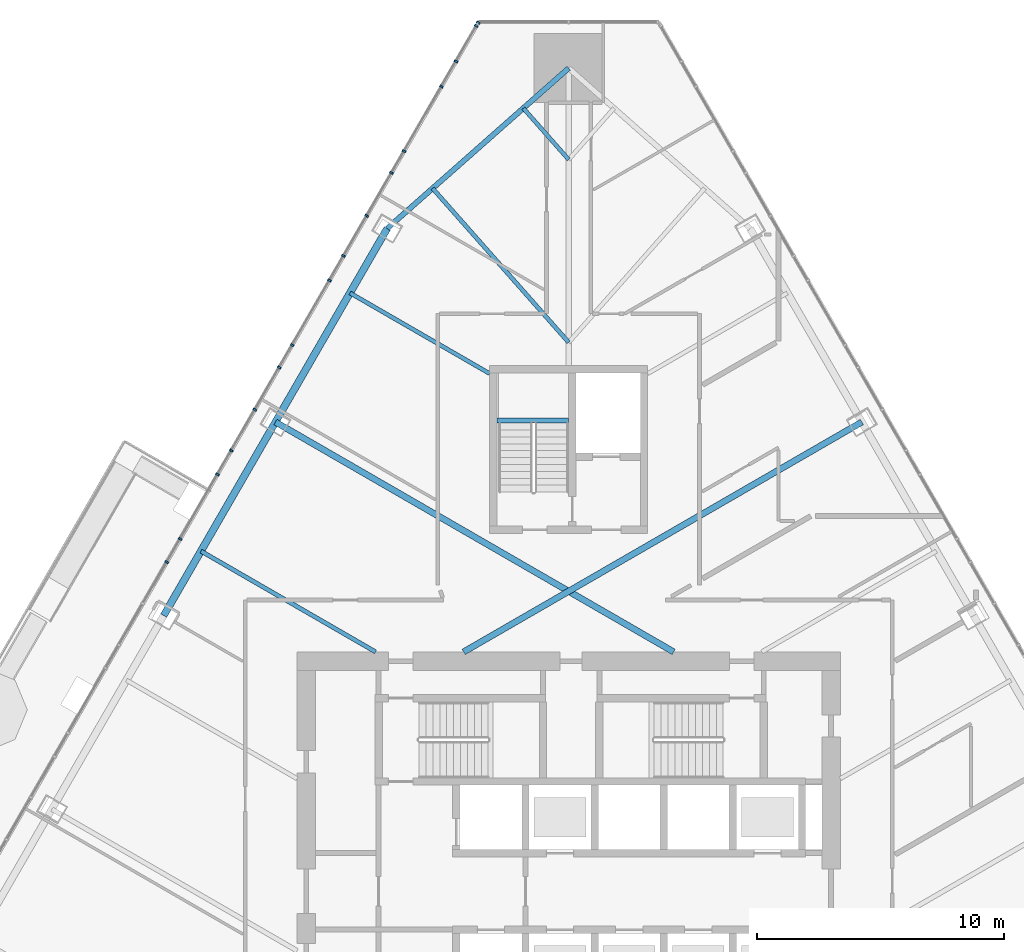
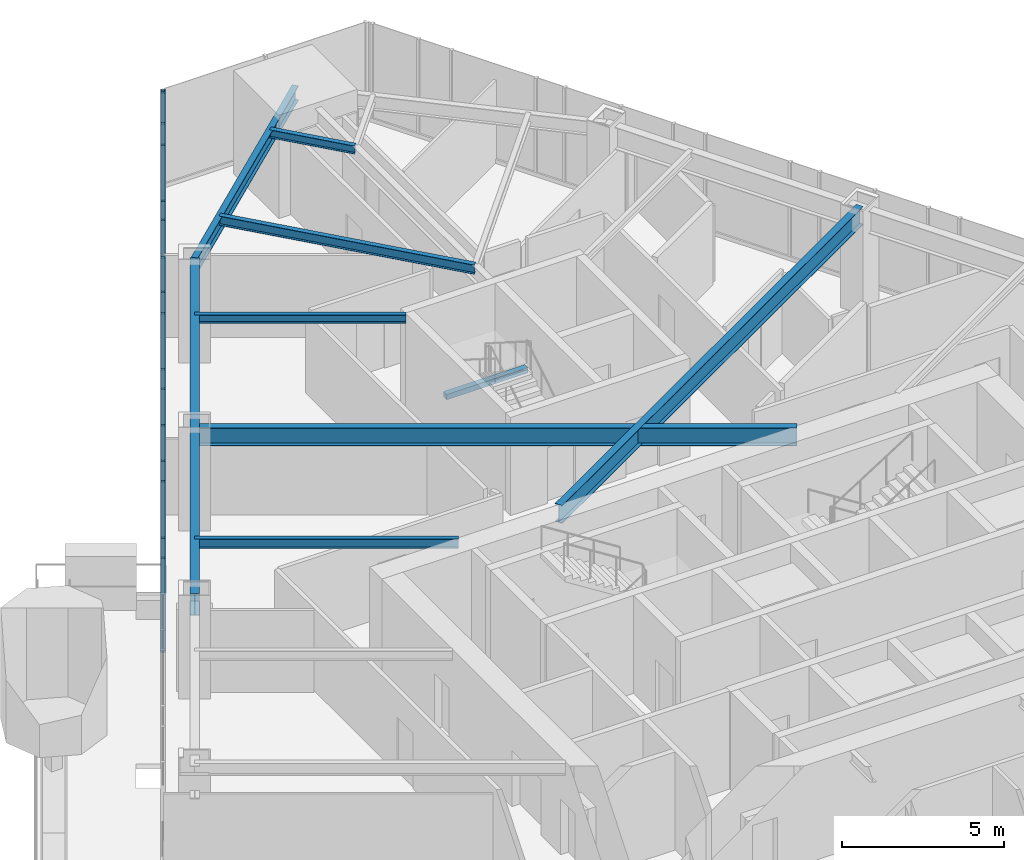
# One storey, part 10 of 32: 16 members, 9 beams, 1 element without a shape of its own.
"""IFC4 building model written with IfcOpenShell, lengths in metres."""

from ifc_helpers import new_model, si_unit, direction, frame, origin, origin_2d, place, context, subcontext, project, spatial, rectangle, i_section, extrude, material, layer, layer_set, material_profile, profile_set, type_object, element, aggregate, save


model = new_model("IFC4")

# Units and contexts
model_context = context("Model", 3, precision=1e-05, world=origin(), true_north=direction((0.0, 1.0)))
body_context = subcontext(model_context, "Body", "Model", "MODEL_VIEW")
ifc_project = project(units=[si_unit("LENGTHUNIT", "METRE"), si_unit("AREAUNIT", "SQUARE_METRE"), si_unit("VOLUMEUNIT", "CUBIC_METRE"), si_unit("PLANEANGLEUNIT", "RADIAN"), si_unit("MASSUNIT", "GRAM", prefix="KILO")], contexts=[model_context])

# Site, building, storey
site_placement = place(None, origin())
site = spatial("IfcSite", under=ifc_project, at=site_placement, CompositionType="ELEMENT")
building_placement = place(site_placement, origin())
building = spatial("IfcBuilding", under=site, at=building_placement, Name="Firuza Gate Tower and Library", CompositionType="ELEMENT")
storey_placement = place(building_placement, frame((0.0, 0.0, 163.60009765625)))
storey = spatial("IfcBuildingStorey", under=building, at=storey_placement, Name="L37", CompositionType="ELEMENT", Elevation=163.60009765625)

# Curtain wall, members
ifc_material_1 = material(Name="Aluminium 6063-T6", Category="aluminium")
ifc_layer = layer(ifc_material_1, 0.14990234375)
ifc_layer_set = layer_set([ifc_layer], Name="Unitised curtain wall, hotel")
curtain_wall_type = type_object("IfcCurtainWallType", Name="Unitised curtain wall, hotel", PredefinedType="NOTDEFINED", material=ifc_layer_set)
curtain_wall_placement = place(storey_placement, origin())
curtain_wall = element("IfcCurtainWall", 1, at=curtain_wall_placement, inside=storey, type_object=curtain_wall_type, Name="CW2 L37 W face", PredefinedType="NOTDEFINED")
ifc_material_2 = material(Name="Aluminium 6063-T6", Category="aluminium")
ifc_material_profile_1 = material_profile(ifc_material_2, rectangle(XDim=0.14990234375, YDim=0.080078125, at=origin_2d()))
ifc_profile_set_1 = profile_set([ifc_material_profile_1], Name="Aluminium 6063-T6")
member_type = type_object("IfcMemberType", Name="Curtain wall mullion 80x150", PredefinedType="MULLION", material=ifc_profile_set_1)
member_1_placement = place(storey_placement, frame((71.336669921875, 108.482666015625, 0.14990234375), z_axis=(0.0, 0.0, 1.0), x_axis=(0.866025403784, -0.5, 0.0)))
member_1 = element("IfcMember", 2, at=member_1_placement, type_object=member_type, Name="Mullion", PredefinedType="MULLION", context=body_context, shape_type="SweptSolid", body=[
    extrude(rectangle(XDim=0.14990234375, YDim=0.080078125, at=origin_2d()), origin(), (0.0, 0.0, 1.0), 3.550048828125),
])
member_2_placement = place(storey_placement, frame((69.84521484375, 105.8994140625, 0.14990234375), z_axis=(0.0, 0.0, 1.0), x_axis=(0.866025403784, -0.5, 0.0)))
member_2 = element("IfcMember", 3, at=member_2_placement, type_object=member_type, Name="Mullion", PredefinedType="MULLION", context=body_context, shape_type="SweptSolid", body=[
    extrude(rectangle(XDim=0.14990234375, YDim=0.080078125, at=origin_2d()), origin(), (0.0, 0.0, 1.0), 3.550048828125),
])
member_3_placement = place(storey_placement, frame((68.333984375, 103.28173828125, 0.14990234375), z_axis=(0.0, 0.0, 1.0), x_axis=(0.866025403784, -0.5, 0.0)))
member_3 = element("IfcMember", 4, at=member_3_placement, type_object=member_type, Name="Mullion", PredefinedType="MULLION", context=body_context, shape_type="SweptSolid", body=[
    extrude(rectangle(XDim=0.14990234375, YDim=0.080078125, at=origin_2d()), origin(), (0.0, 0.0, 1.0), 3.550048828125),
])
member_4_placement = place(storey_placement, frame((66.822509765625, 100.663818359375, 0.14990234375), z_axis=(0.0, 0.0, 1.0), x_axis=(0.866025403784, -0.5, 0.0)))
member_4 = element("IfcMember", 5, at=member_4_placement, type_object=member_type, Name="Mullion", PredefinedType="MULLION", context=body_context, shape_type="SweptSolid", body=[
    extrude(rectangle(XDim=0.14990234375, YDim=0.080078125, at=origin_2d()), origin(), (0.0, 0.0, 1.0), 3.550048828125),
])
member_5_placement = place(storey_placement, frame((65.31103515625, 98.046142578125, 0.14990234375), z_axis=(0.0, 0.0, 1.0), x_axis=(0.866025403784, -0.5, 0.0)))
member_5 = element("IfcMember", 6, at=member_5_placement, type_object=member_type, Name="Mullion", PredefinedType="MULLION", context=body_context, shape_type="SweptSolid", body=[
    extrude(rectangle(XDim=0.14990234375, YDim=0.080078125, at=origin_2d()), origin(), (0.0, 0.0, 1.0), 3.550048828125),
])
member_6_placement = place(storey_placement, frame((63.7998046875, 95.42822265625, 0.14990234375), z_axis=(0.0, 0.0, 1.0), x_axis=(0.866025403784, -0.5, 0.0)))
member_6 = element("IfcMember", 7, at=member_6_placement, type_object=member_type, Name="Mullion", PredefinedType="MULLION", context=body_context, shape_type="SweptSolid", body=[
    extrude(rectangle(XDim=0.14990234375, YDim=0.080078125, at=origin_2d()), origin(), (0.0, 0.0, 1.0), 3.550048828125),
])
member_7_placement = place(storey_placement, frame((62.288330078125, 92.810302734375, 0.14990234375), z_axis=(0.0, 0.0, 1.0), x_axis=(0.866025403784, -0.5, 0.0)))
member_7 = element("IfcMember", 8, at=member_7_placement, type_object=member_type, Name="Mullion", PredefinedType="MULLION", context=body_context, shape_type="SweptSolid", body=[
    extrude(rectangle(XDim=0.14990234375, YDim=0.080078125, at=origin_2d()), origin(), (0.0, 0.0, 1.0), 3.550048828125),
])
member_8_placement = place(storey_placement, frame((60.77685546875, 90.192626953125, 0.14990234375), z_axis=(0.0, 0.0, 1.0), x_axis=(0.866025403784, -0.5, 0.0)))
member_8 = element("IfcMember", 9, at=member_8_placement, type_object=member_type, Name="Mullion", PredefinedType="MULLION", context=body_context, shape_type="SweptSolid", body=[
    extrude(rectangle(XDim=0.14990234375, YDim=0.080078125, at=origin_2d()), origin(), (0.0, 0.0, 1.0), 3.550048828125),
])
member_9_placement = place(storey_placement, frame((59.265380859375, 87.57470703125, 0.14990234375), z_axis=(0.0, 0.0, 1.0), x_axis=(0.866025403784, -0.5, 0.0)))
member_9 = element("IfcMember", 10, at=member_9_placement, type_object=member_type, Name="Mullion", PredefinedType="MULLION", context=body_context, shape_type="SweptSolid", body=[
    extrude(rectangle(XDim=0.14990234375, YDim=0.080078125, at=origin_2d()), origin(), (0.0, 0.0, 1.0), 3.550048828125),
])
member_10_placement = place(storey_placement, frame((71.26025390625, 108.35009765625, 0.14990234375), z_axis=(0.0, 0.0, 1.0), x_axis=(0.866025403784, -0.5, 0.0)))
member_10 = element("IfcMember", 11, at=member_10_placement, type_object=member_type, Name="Mullion", PredefinedType="MULLION", context=body_context, shape_type="SweptSolid", body=[
    extrude(rectangle(XDim=0.14990234375, YDim=0.080078125, at=origin_2d()), origin(), (0.0, 0.0, 1.0), 3.550048828125),
])
member_11_placement = place(storey_placement, frame((70.433349609375, 106.91796875, 0.14990234375), z_axis=(0.0, 0.0, 1.0), x_axis=(0.866025403784, -0.5, 0.0)))
member_11 = element("IfcMember", 12, at=member_11_placement, type_object=member_type, Name="Mullion", PredefinedType="MULLION", context=body_context, shape_type="SweptSolid", body=[
    extrude(rectangle(XDim=0.14990234375, YDim=0.080078125, at=origin_2d()), origin(), (0.0, 0.0, 1.0), 3.550048828125),
])
member_12_placement = place(storey_placement, frame((67.82470703125, 102.39990234375, 0.14990234375), z_axis=(0.0, 0.0, 1.0), x_axis=(0.866025403784, -0.5, 0.0)))
member_12 = element("IfcMember", 13, at=member_12_placement, type_object=member_type, Name="Mullion", PredefinedType="MULLION", context=body_context, shape_type="SweptSolid", body=[
    extrude(rectangle(XDim=0.14990234375, YDim=0.080078125, at=origin_2d()), origin(), (0.0, 0.0, 1.0), 3.550048828125),
])
member_13_placement = place(storey_placement, frame((65.88330078125, 99.037353515625, 0.14990234375), z_axis=(0.0, 0.0, 1.0), x_axis=(0.866025403784, -0.5, 0.0)))
member_13 = element("IfcMember", 14, at=member_13_placement, type_object=member_type, Name="Mullion", PredefinedType="MULLION", context=body_context, shape_type="SweptSolid", body=[
    extrude(rectangle(XDim=0.14990234375, YDim=0.080078125, at=origin_2d()), origin(), (0.0, 0.0, 1.0), 3.550048828125),
])
member_14_placement = place(storey_placement, frame((63.27490234375, 94.51904296875, 0.14990234375), z_axis=(0.0, 0.0, 1.0), x_axis=(0.866025403784, -0.5, 0.0)))
member_14 = element("IfcMember", 15, at=member_14_placement, type_object=member_type, Name="Mullion", PredefinedType="MULLION", context=body_context, shape_type="SweptSolid", body=[
    extrude(rectangle(XDim=0.14990234375, YDim=0.080078125, at=origin_2d()), origin(), (0.0, 0.0, 1.0), 3.550048828125),
])
member_15_placement = place(storey_placement, frame((61.333251953125, 91.156494140625, 0.14990234375), z_axis=(0.0, 0.0, 1.0), x_axis=(0.866025403784, -0.5, 0.0)))
member_15 = element("IfcMember", 16, at=member_15_placement, type_object=member_type, Name="Mullion", PredefinedType="MULLION", context=body_context, shape_type="SweptSolid", body=[
    extrude(rectangle(XDim=0.14990234375, YDim=0.080078125, at=origin_2d()), origin(), (0.0, 0.0, 1.0), 3.550048828125),
])
member_16_placement = place(storey_placement, frame((58.724853515625, 86.63818359375, 0.14990234375), z_axis=(0.0, 0.0, 1.0), x_axis=(0.866025403784, -0.5, 0.0)))
member_16 = element("IfcMember", 17, at=member_16_placement, type_object=member_type, Name="Mullion", PredefinedType="MULLION", context=body_context, shape_type="SweptSolid", body=[
    extrude(rectangle(XDim=0.14990234375, YDim=0.080078125, at=origin_2d()), origin(), (0.0, 0.0, 1.0), 3.550048828125),
])
aggregate(curtain_wall, [member_1, member_2, member_3, member_4, member_5, member_6, member_7, member_8, member_9, member_10, member_11, member_12, member_13, member_14, member_15, member_16])

# Beams
ifc_material_3 = material(Name="Concrete C35/45", Category="concrete")
ifc_material_profile_2 = material_profile(ifc_material_3, rectangle(XDim=0.199951171875, YDim=0.199951171875, at=origin_2d()))
ifc_profile_set_2 = profile_set([ifc_material_profile_2], Name="Concrete C35/45")
beam_type_1 = type_object("IfcBeamType", Name="Stair landing bearer 200x200", PredefinedType="BEAM", material=ifc_profile_set_2)
beam_1_placement = place(storey_placement, frame((75.0, 92.3701171875, 1.64990234375), z_axis=(-1.0, 0.0, 0.0), x_axis=(0.0, -1.0, 0.0)))
element("IfcBeam", 18, at=beam_1_placement, inside=storey, type_object=beam_type_1, Name="Landing bearer L37 stair 3", PredefinedType="BEAM", context=body_context, shape_type="SweptSolid", body=[
    extrude(rectangle(XDim=0.199951171875, YDim=0.199951171875, at=origin_2d()), origin(), (0.0, 0.0, 1.0), 2.89990234375),
])
ifc_material_4 = material(Name="Steel S355", Category="steel")
ifc_material_profile_3 = material_profile(ifc_material_4, i_section(OverallWidth=0.1650390625, OverallDepth=0.31005859375, WebThickness=0.005859375, FlangeThickness=0.009765625, at=origin_2d()))
ifc_profile_set_3 = profile_set([ifc_material_profile_3], Name="Steel S355")
beam_type_2 = type_object("IfcBeamType", Name="W310x39 Floor beam", PredefinedType="JOIST", material=ifc_profile_set_3)
beam_2_placement = place(storey_placement, frame((73.1630859375, 105.01953125, 3.544921875), z_axis=(0.662110460261, -0.749406257255, 0.0), x_axis=(0.749406257255, 0.662110460261, 0.0)))
element("IfcBeam", 19, at=beam_2_placement, inside=storey, type_object=beam_type_2, Name="Floor beam L37 s70", PredefinedType="JOIST", context=body_context, shape_type="SweptSolid", body=[
    extrude(i_section(OverallWidth=0.1650390625, OverallDepth=0.31005859375, WebThickness=0.005859375, FlangeThickness=0.009765625, at=origin_2d()), origin(), (0.0, 0.0, 1.0), 2.7744140625),
])
beam_3_placement = place(storey_placement, frame((66.1435546875, 97.537841796875, 3.544921875), z_axis=(0.866019389049, -0.500010417683, 0.0), x_axis=(0.500010417683, 0.866019389049, 0.0)))
element("IfcBeam", 20, at=beam_3_placement, inside=storey, type_object=beam_type_2, Name="Floor beam L37 s80", PredefinedType="JOIST", context=body_context, shape_type="SweptSolid", body=[
    extrude(i_section(OverallWidth=0.1650390625, OverallDepth=0.31005859375, WebThickness=0.005859375, FlangeThickness=0.009765625, at=origin_2d()), origin(), (0.0, 0.0, 1.0), 6.531494140625),
])
ifc_material_5 = material(Name="Steel S355", Category="steel")
ifc_material_profile_4 = material_profile(ifc_material_5, i_section(OverallWidth=0.1708984375, OverallDepth=0.35498046875, WebThickness=0.007080078125, FlangeThickness=0.01171875, at=origin_2d()))
ifc_profile_set_4 = profile_set([ifc_material_profile_4], Name="Steel S355")
beam_type_3 = type_object("IfcBeamType", Name="W360x51 Floor beam", PredefinedType="JOIST", material=ifc_profile_set_4)
beam_4_placement = place(storey_placement, frame((69.4892578125, 101.774169921875, 3.5224609375), z_axis=(0.662066797423, -0.749444831692, 0.0), x_axis=(0.749444831692, 0.662066797423, 0.0)))
element("IfcBeam", 21, at=beam_4_placement, inside=storey, type_object=beam_type_3, Name="Floor beam L37 s71", PredefinedType="JOIST", context=body_context, shape_type="SweptSolid", body=[
    extrude(i_section(OverallWidth=0.1708984375, OverallDepth=0.35498046875, WebThickness=0.007080078125, FlangeThickness=0.01171875, at=origin_2d()), origin(), (0.0, 0.0, 1.0), 8.323486328125),
])
beam_5_placement = place(storey_placement, frame((60.107421875, 87.0830078125, 3.5224609375), z_axis=(0.866034240187, -0.49998469459, 0.0), x_axis=(0.49998469459, 0.866034240187, 0.0)))
element("IfcBeam", 22, at=beam_5_placement, inside=storey, type_object=beam_type_3, Name="Floor beam L37 s82", PredefinedType="JOIST", context=body_context, shape_type="SweptSolid", body=[
    extrude(i_section(OverallWidth=0.1708984375, OverallDepth=0.35498046875, WebThickness=0.007080078125, FlangeThickness=0.01171875, at=origin_2d()), origin(), (0.0, 0.0, 1.0), 8.166259765625),
])
ifc_material_6 = material(Name="Steel S355", Category="steel")
ifc_material_profile_5 = material_profile(ifc_material_6, i_section(OverallWidth=0.212890625, OverallDepth=0.5390625, WebThickness=0.01171875, FlangeThickness=0.018798828125, at=origin_2d()))
ifc_profile_set_5 = profile_set([ifc_material_profile_5], Name="Steel S355")
beam_type_4 = type_object("IfcBeamType", Name="W530x109 Edge beam", PredefinedType="SPANDREL", material=ifc_profile_set_5)
beam_6_placement = place(storey_placement, frame((75.0, 106.642333984375, 3.430419921875), z_axis=(-0.749446028543, -0.662065442612, 0.0), x_axis=(0.662065442612, -0.749446028543, 0.0)))
element("IfcBeam", 23, at=beam_6_placement, inside=storey, type_object=beam_type_4, Name="Edge beam L37 e70", PredefinedType="SPANDREL", context=body_context, shape_type="SweptSolid", body=[
    extrude(i_section(OverallWidth=0.212890625, OverallDepth=0.5390625, WebThickness=0.01171875, FlangeThickness=0.018798828125, at=origin_2d()), origin(), (0.0, 0.0, 1.0), 9.80419921875),
])
ifc_material_7 = material(Name="Steel S355", Category="steel")
ifc_material_profile_6 = material_profile(ifc_material_7, i_section(OverallWidth=0.2529296875, OverallDepth=0.677978515625, WebThickness=0.01171875, FlangeThickness=0.016357421875, at=origin_2d()))
ifc_profile_set_6 = profile_set([ifc_material_profile_6], Name="Steel S355")
beam_type_5 = type_object("IfcBeamType", Name="W690x125 Floor beam", PredefinedType="JOIST", material=ifc_profile_set_6)
for number, where, z_axis, x_axis, name in (
    (24, (86.87451171875, 92.310302734375, 3.36083984375), (-0.866026198502, -0.499998623507, 0.0), (0.499998623507, -0.866026198502, 0.0), "Floor beam L37 s54"),
    (25, (63.12548828125, 92.310302734375, 3.36083984375), (0.866026198502, -0.499998623507, 0.0), (0.499998623507, 0.866026198502, 0.0), "Floor beam L37 s81"),
):
    element("IfcBeam", number, at=place(storey_placement, frame(where, z_axis=z_axis, x_axis=x_axis)), inside=storey, type_object=beam_type_5, Name=name, PredefinedType="JOIST", context=body_context, shape_type="SweptSolid", body=[
        extrude(i_section(OverallWidth=0.2529296875, OverallDepth=0.677978515625, WebThickness=0.01171875, FlangeThickness=0.016357421875, at=origin_2d()), origin(), (0.0, 0.0, 1.0), 18.62060546875),
    ])
ifc_material_8 = material(Name="Steel S355", Category="steel")
ifc_material_profile_7 = material_profile(ifc_material_8, i_section(OverallWidth=0.2919921875, OverallDepth=0.8349609375, WebThickness=0.013916015625, FlangeThickness=0.018798828125, at=origin_2d()))
ifc_profile_set_7 = profile_set([ifc_material_profile_7], Name="Steel S355")
beam_type_6 = type_object("IfcBeamType", Name="W840x176 Edge beam", PredefinedType="SPANDREL", material=ifc_profile_set_7)
beam_7_placement = place(storey_placement, frame((67.65234375, 100.1513671875, 3.282470703125), z_axis=(-0.500000608324, -0.866025052568, 0.0), x_axis=(0.866025052568, -0.500000608324, 0.0)))
element("IfcBeam", 26, at=beam_7_placement, inside=storey, type_object=beam_type_6, Name="Edge beam L37 e80", PredefinedType="SPANDREL", context=body_context, shape_type="SweptSolid", body=[
    extrude(i_section(OverallWidth=0.2919921875, OverallDepth=0.8349609375, WebThickness=0.013916015625, FlangeThickness=0.018798828125, at=origin_2d()), origin(), (0.0, 0.0, 1.0), 18.10791015625),
])

save(model, "model.ifc")
